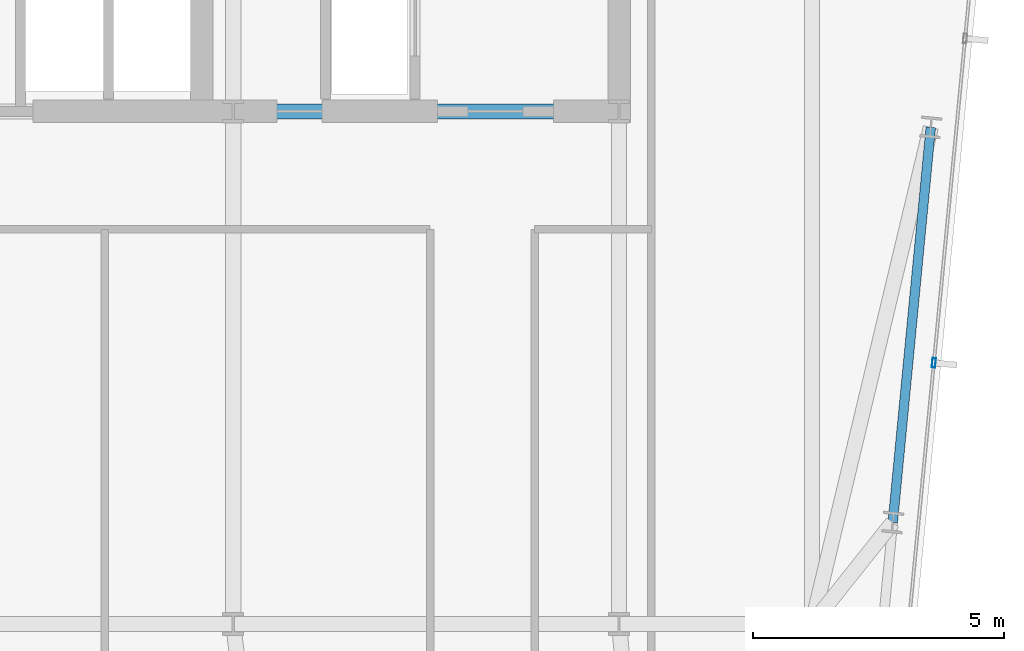
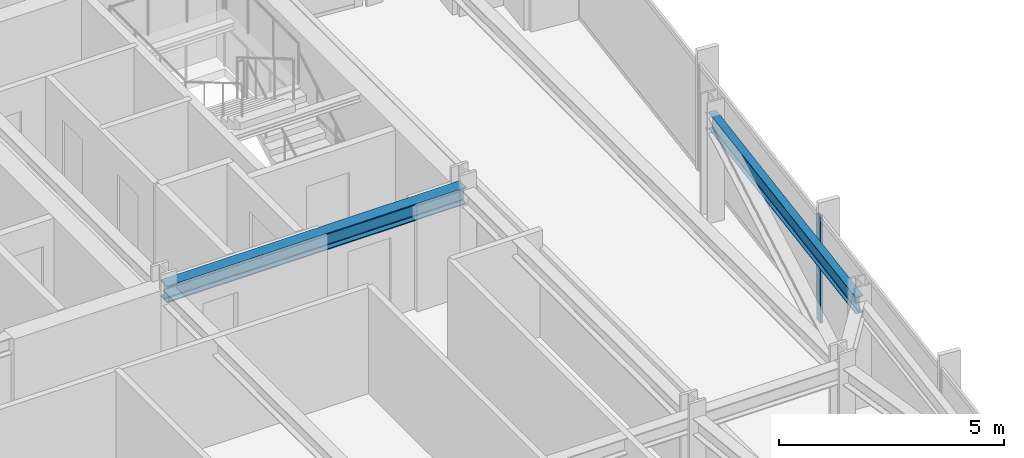
# One storey, part 18 of 37: 2 beams, 1 member, 1 element without a shape of its own.
"""IFC4 building model written with IfcOpenShell, lengths in metres."""

from ifc_helpers import new_model, si_unit, direction, frame, origin, origin_2d, place, context, subcontext, project, spatial, hollow_rectangle, i_section, extrude, material, material_profile, profile_set, type_object, element, aggregate, save


model = new_model("IFC4")

# Units and contexts
model_context = context("Model", 3, precision=1e-05, world=origin(), true_north=direction((0.0, 1.0)))
body_context = subcontext(model_context, "Body", "Model", "MODEL_VIEW")
ifc_project = project(units=[si_unit("LENGTHUNIT", "METRE"), si_unit("AREAUNIT", "SQUARE_METRE"), si_unit("VOLUMEUNIT", "CUBIC_METRE"), si_unit("PLANEANGLEUNIT", "RADIAN"), si_unit("MASSUNIT", "GRAM", prefix="KILO")], contexts=[model_context])

# Site, building, storey
site_placement = place(None, origin())
site = spatial("IfcSite", under=ifc_project, at=site_placement, CompositionType="ELEMENT")
building_placement = place(site_placement, origin())
building = spatial("IfcBuilding", under=site, at=building_placement, Name="Yelkora Congress Tower", CompositionType="ELEMENT")
storey_placement = place(building_placement, frame((0.0, 0.0, 188.60009765625)))
storey = spatial("IfcBuildingStorey", under=building, at=storey_placement, Name="L52", CompositionType="ELEMENT", Elevation=188.60009765625)

# Beams
ifc_material_1 = material(Name="Steel S355J2", Category="steel")
ifc_material_profile_1 = material_profile(ifc_material_1, i_section(OverallWidth=0.300048828125, OverallDepth=0.449951171875, WebThickness=0.013916015625, FlangeThickness=0.02587890625, FilletRadius=0.027099609375, at=origin_2d()), Name="HEB 450")
ifc_profile_set_1 = profile_set([ifc_material_profile_1], Name="Steel S355J2")
beam_type_1 = type_object("IfcBeamType", Name="BM-GIRD-HEB450", PredefinedType="BEAM", material=ifc_profile_set_1)
beam_1_placement = place(storey_placement, frame((46.080078125, 35.39990234375, 2.65478515625), z_axis=(1.0, 0.0, 0.0), x_axis=(0.0, 1.0, 0.0)))
element("IfcBeam", 1, at=beam_1_placement, inside=storey, type_object=beam_type_1, Name="L52 Core South Girder 4", PredefinedType="BEAM", context=body_context, shape_type="SweptSolid", body=[
    extrude(i_section(OverallWidth=0.300048828125, OverallDepth=0.449951171875, WebThickness=0.013916015625, FlangeThickness=0.02587890625, FilletRadius=0.027099609375, at=origin_2d()), origin(), (0.0, 0.0, 1.0), 7.679931640625),
])
ifc_material_profile_2 = material_profile(ifc_material_1, i_section(OverallWidth=0.18994140625, OverallDepth=0.449951171875, WebThickness=0.009521484375, FlangeThickness=0.0146484375, FilletRadius=0.02099609375, at=origin_2d()), Name="IPE 450")
ifc_profile_set_2 = profile_set([ifc_material_profile_2], Name="Steel S355J2")
beam_type_2 = type_object("IfcBeamType", Name="BM-SPAN-IPE450", PredefinedType="SPANDREL", material=ifc_profile_set_2)
beam_2_placement = place(storey_placement, frame((59.206298828125, 27.217529296875, 2.65478515625), z_axis=(0.095834301903, 0.99539730087, 0.0), x_axis=(-0.99539730087, 0.095834301903, 0.0)))
element("IfcBeam", 2, at=beam_2_placement, inside=storey, type_object=beam_type_2, Name="L52 Perimeter Beam 11", PredefinedType="SPANDREL", context=body_context, shape_type="SweptSolid", body=[
    extrude(i_section(OverallWidth=0.18994140625, OverallDepth=0.449951171875, WebThickness=0.009521484375, FlangeThickness=0.0146484375, FilletRadius=0.02099609375, at=origin_2d()), origin(), (0.0, 0.0, 1.0), 7.89990234375),
])

# Curtain wall, member
ifc_material_2 = material(Name="Anodised aluminium and insulated glass", Category="aluminium")
curtain_wall_type = type_object("IfcCurtainWallType", Name="CW-SYS-B3", PredefinedType="NOTDEFINED", material=ifc_material_2)
curtain_wall_placement = place(storey_placement, origin())
curtain_wall = element("IfcCurtainWall", 3, at=curtain_wall_placement, inside=storey, type_object=curtain_wall_type, Name="L52 Unitised Curtain Wall 15", PredefinedType="NOTDEFINED")
ifc_material_3 = material(Name="Anodised aluminium 6063-T6", Category="aluminium")
ifc_material_profile_3 = material_profile(ifc_material_3, hollow_rectangle(XDim=0.070068359375, YDim=0.18994140625, WallThickness=0.00390625, at=origin_2d()), Name="ALU 70x190x4")
ifc_profile_set_3 = profile_set([ifc_material_profile_3], Name="Anodised aluminium 6063-T6")
member_type = type_object("IfcMemberType", Name="MEM-ML-B3", PredefinedType="MULLION", material=ifc_profile_set_3)
member_placement = place(storey_placement, frame((60.024658203125, 30.395751953125, 0.0), z_axis=(0.0, 0.0, 1.0), x_axis=(0.995396565076, -0.095841944023, 0.0)))
member = element("IfcMember", 4, at=member_placement, type_object=member_type, Name="CW-B3 mullion 3", PredefinedType="MULLION", context=body_context, shape_type="SweptSolid", body=[
    extrude(hollow_rectangle(XDim=0.070068359375, YDim=0.18994140625, WallThickness=0.00390625, at=origin_2d()), origin(), (0.0, 0.0, 1.0), 2.8798828125),
])
aggregate(curtain_wall, [member])

save(model, "model.ifc")
